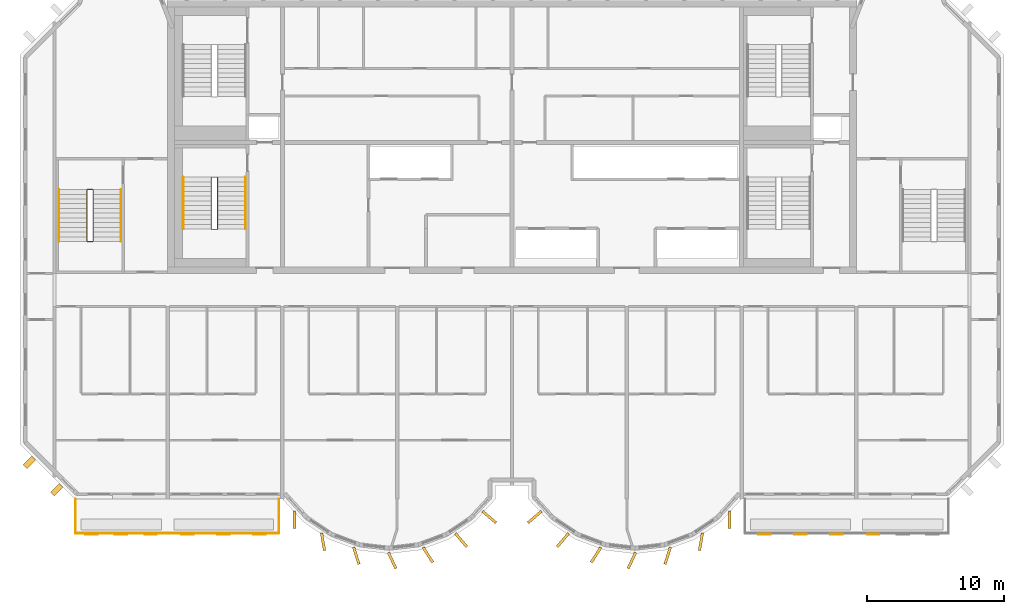
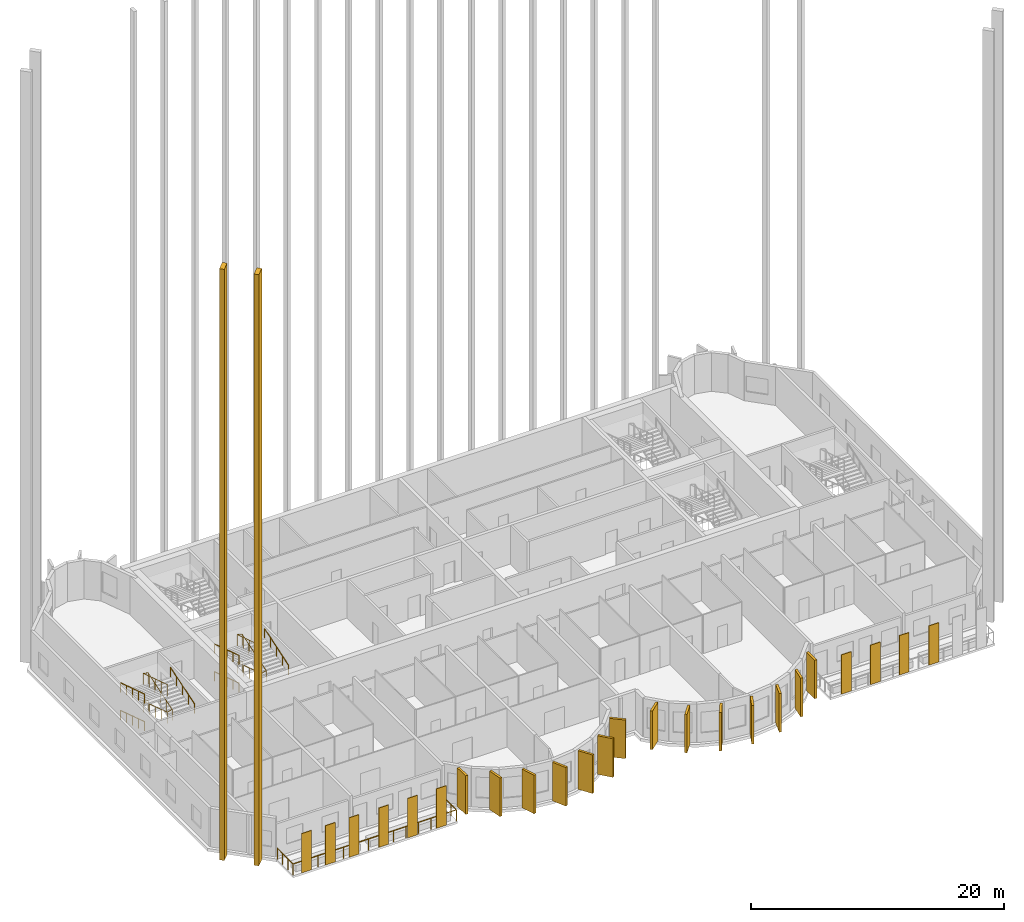
# One storey, part 10 of 13: 26 coverings, 9 railings.
"""IFC4 building model written with IfcOpenShell, lengths in metres."""

from ifc_helpers import new_model, si_unit, direction, frame, origin, origin_2d, place, context, subcontext, project, spatial, rectangle, circle, extrude, source, transform, mapped, material, layer, layer_set, material_profile, profile_set, type_object, element, save


model = new_model("IFC4")

# Units and contexts
model_context = context("Model", 3, precision=1e-05, world=origin(), true_north=direction((0.0, 1.0)))
body_context = subcontext(model_context, "Body", "Model", "MODEL_VIEW")
ifc_project = project(units=[si_unit("LENGTHUNIT", "METRE"), si_unit("AREAUNIT", "SQUARE_METRE"), si_unit("VOLUMEUNIT", "CUBIC_METRE"), si_unit("PLANEANGLEUNIT", "RADIAN"), si_unit("MASSUNIT", "GRAM", prefix="KILO")], contexts=[model_context])

# Site, building, storey
site_placement = place(None, origin())
site = spatial("IfcSite", under=ifc_project, at=site_placement, CompositionType="ELEMENT")
building_placement = place(site_placement, origin())
building = spatial("IfcBuilding", under=site, at=building_placement, Name="Vanashikhar Sky Hotel", CompositionType="ELEMENT")
storey_placement = place(building_placement, frame((0.0, 0.0, 277.699951171875)))
storey = spatial("IfcBuildingStorey", under=building, at=storey_placement, Name="L66", CompositionType="ELEMENT", Elevation=277.699951171875)

# Railing
ifc_material_1 = material(Name="Stainless steel 316", Category="steel")
railing_type_1 = type_object("IfcRailingType", Name="Balcony guard 1100", PredefinedType="GUARDRAIL", material=ifc_material_1)
shared_shape_1 = source(origin(), body_context, "Body", "SweptSolid", [
    extrude(circle(Radius=0.02392578125, at=origin_2d()), frame((0.0, 0.0, 1.076171875), z_axis=(0.0, -1.0, 0.0), x_axis=(1.0, 0.0, 0.0)), (0.0, 0.0, 1.0), 2.5),
    extrude(circle(Radius=0.02392578125, at=origin_2d()), frame((0.0, -2.5, 1.076171875), z_axis=(1.0, 0.0, 0.0), x_axis=(0.0, 1.0, 0.0)), (0.0, 0.0, 1.0), 14.880126953125),
    extrude(circle(Radius=0.02392578125, at=origin_2d()), frame((14.880126953125, -2.5, 1.076171875), z_axis=(0.0, 1.0, 0.0), x_axis=(-1.0, 0.0, 0.0)), (0.0, 0.0, 1.0), 2.5),
    extrude(circle(Radius=0.02099609375, at=origin_2d()), origin(), (0.0, 0.0, 1.0), 1.052001953125),
    extrude(circle(Radius=0.02099609375, at=origin_2d()), frame((0.0, -0.833251953125, 0.0)), (0.0, 0.0, 1.0), 1.052001953125),
    extrude(circle(Radius=0.02099609375, at=origin_2d()), frame((0.0, -1.666748046875, 0.0)), (0.0, 0.0, 1.0), 1.052001953125),
    extrude(circle(Radius=0.02099609375, at=origin_2d()), frame((0.0, -2.5, 0.0)), (0.0, 0.0, 1.0), 1.052001953125),
    extrude(circle(Radius=0.02099609375, at=origin_2d()), frame((1.14453125, -2.5, 0.0)), (0.0, 0.0, 1.0), 1.052001953125),
    extrude(circle(Radius=0.02099609375, at=origin_2d()), frame((2.289306640625, -2.5, 0.0)), (0.0, 0.0, 1.0), 1.052001953125),
    extrude(circle(Radius=0.02099609375, at=origin_2d()), frame((3.433837890625, -2.5, 0.0)), (0.0, 0.0, 1.0), 1.052001953125),
    extrude(circle(Radius=0.02099609375, at=origin_2d()), frame((4.57861328125, -2.5, 0.0)), (0.0, 0.0, 1.0), 1.052001953125),
    extrude(circle(Radius=0.02099609375, at=origin_2d()), frame((5.72314453125, -2.5, 0.0)), (0.0, 0.0, 1.0), 1.052001953125),
    extrude(circle(Radius=0.02099609375, at=origin_2d()), frame((6.86767578125, -2.5, 0.0)), (0.0, 0.0, 1.0), 1.052001953125),
    extrude(circle(Radius=0.02099609375, at=origin_2d()), frame((8.012451171875, -2.5, 0.0)), (0.0, 0.0, 1.0), 1.052001953125),
    extrude(circle(Radius=0.02099609375, at=origin_2d()), frame((9.156982421875, -2.5, 0.0)), (0.0, 0.0, 1.0), 1.052001953125),
    extrude(circle(Radius=0.02099609375, at=origin_2d()), frame((10.301513671875, -2.5, 0.0)), (0.0, 0.0, 1.0), 1.052001953125),
    extrude(circle(Radius=0.02099609375, at=origin_2d()), frame((11.4462890625, -2.5, 0.0)), (0.0, 0.0, 1.0), 1.052001953125),
    extrude(circle(Radius=0.02099609375, at=origin_2d()), frame((12.5908203125, -2.5, 0.0)), (0.0, 0.0, 1.0), 1.052001953125),
    extrude(circle(Radius=0.02099609375, at=origin_2d()), frame((13.735595703125, -2.5, 0.0)), (0.0, 0.0, 1.0), 1.052001953125),
    extrude(circle(Radius=0.02099609375, at=origin_2d()), frame((14.880126953125, -2.5, 0.0)), (0.0, 0.0, 1.0), 1.052001953125),
    extrude(circle(Radius=0.02099609375, at=origin_2d()), frame((14.880126953125, -1.666748046875, 0.0)), (0.0, 0.0, 1.0), 1.052001953125),
    extrude(circle(Radius=0.02099609375, at=origin_2d()), frame((14.880126953125, -0.833251953125, 0.0)), (0.0, 0.0, 1.0), 1.052001953125),
    extrude(circle(Radius=0.02099609375, at=origin_2d()), frame((14.880126953125, 0.0, 0.0)), (0.0, 0.0, 1.0), 1.052001953125),
])
railing_1_placement = place(storey_placement, frame((18.4599609375, 5.5, -0.050048828125)))
element("IfcRailing", 1, at=railing_1_placement, inside=storey, type_object=railing_type_1, Name="Balcony guard", PredefinedType="GUARDRAIL", context=body_context, shape_type="MappedRepresentation", body=[
    mapped(shared_shape_1, transform((0.0, 0.0, 0.0), scale=1.0)),
])

# Coverings
ifc_material_2 = material(Name="Terracotta", Category="masonry")
ifc_layer = layer(ifc_material_2, 0.06005859375)
ifc_layer_set = layer_set([ifc_layer], Name="Terracotta baguette screen")
covering_type_1 = type_object("IfcCoveringType", Name="Terracotta baguette screen", PredefinedType="CLADDING", material=ifc_layer_set)
shared_shape_2 = source(origin(), body_context, "Body", "SweptSolid", [
    extrude(rectangle(XDim=0.89990234375, YDim=0.06005859375, at=origin_2d()), origin(), (0.0, 0.0, 1.0), 3.800048828125),
])
for number, where, z_axis, x_axis, name in (
    (2, (19.63330078125, 2.929931640625, -0.0498046875), (0.0, 0.0, 1.0), (1.0, 0.0, 0.0), "Terracotta screen"),
    (3, (21.800048828125, 2.929931640625, -0.0498046875), (0.0, 0.0, 1.0), (1.0, 0.0, 0.0), "Terracotta screen"),
    (4, (23.966796875, 2.929931640625, -0.0498046875), (0.0, 0.0, 1.0), (1.0, 0.0, 0.0), "Terracotta screen"),
    (5, (26.666748046875, 2.929931640625, -0.0498046875), (0.0, 0.0, 1.0), (1.0, 0.0, 0.0), "Terracotta screen"),
    (6, (29.300048828125, 2.929931640625, -0.0498046875), (0.0, 0.0, 1.0), (1.0, 0.0, 0.0), "Terracotta screen"),
    (7, (31.933349609375, 2.929931640625, -0.0498046875), (0.0, 0.0, 1.0), (1.0, 0.0, 0.0), "Terracotta screen"),
    (8, (68.86669921875, 2.929931640625, -0.0498046875), (0.0, 0.0, 1.0), (1.0, 0.0, 0.0), "Terracotta screen"),
    (9, (71.5, 2.929931640625, -0.0498046875), (0.0, 0.0, 1.0), (1.0, 0.0, 0.0), "Terracotta screen"),
    (10, (74.13330078125, 2.929931640625, -0.0498046875), (0.0, 0.0, 1.0), (1.0, 0.0, 0.0), "Terracotta screen"),
    (11, (76.833251953125, 2.929931640625, -0.0498046875), (0.0, 0.0, 1.0), (1.0, 0.0, 0.0), "Terracotta screen"),
):
    element("IfcCovering", number, at=place(storey_placement, frame(where, z_axis=z_axis, x_axis=x_axis)), inside=storey, type_object=covering_type_1, Name=name, PredefinedType="CLADDING", context=body_context, shape_type="MappedRepresentation", body=[
        mapped(shared_shape_2, transform((0.0, 0.0, 0.0), scale=1.0)),
    ])
ifc_material_3 = material(Name="Concrete M60 dark", Category="concrete")
ifc_material_profile_1 = material_profile(ifc_material_3, rectangle(XDim=1.300048828125, YDim=0.199951171875, at=origin_2d()))
ifc_profile_set_1 = profile_set([ifc_material_profile_1], Name="Fin 1300 x 200")
covering_type_2 = type_object("IfcCoveringType", Name="Fin 1300 x 200", PredefinedType="CLADDING", material=ifc_profile_set_1)
shared_shape_3 = source(origin(), body_context, "Body", "SweptSolid", [
    extrude(rectangle(XDim=1.300048828125, YDim=0.199951171875, at=origin_2d()), origin(), (0.0, 0.0, 1.0), 3.719970703125),
])
for number, where, z_axis, x_axis, name in (
    (12, (34.482421875, 3.992919921875, 0.0), (0.0, 0.0, 1.0), (0.011588726826, -0.999932848451, 0.0), "Fin F1-1"),
    (13, (36.572509765625, 2.3779296875, 0.0), (0.0, 0.0, 1.0), (0.16989991575, -0.985461322746, 0.0), "Fin F1-2"),
    (14, (39.00830078125, 1.35693359375, 0.0), (0.0, 0.0, 1.0), (0.303966551867, -0.952682704444, 0.0), "Fin F1-3"),
    (15, (41.63232421875, 1.00146484375, 0.0), (0.0, 0.0, 1.0), (0.422618261741, -0.906307787037, 0.0), "Fin F1-4"),
    (16, (44.251953125, 1.416015625, 0.0), (0.0, 0.0, 1.0), (0.534411358496, -0.845224526331, 0.0), "Fin F1-5"),
    (17, (46.676025390625, 2.5, 0.0), (0.0, 0.0, 1.0), (0.645697609467, -0.763593214433, 0.0), "Fin F1-6"),
    (18, (48.7412109375, 4.1845703125, 0.0), (0.0, 0.0, 1.0), (0.758543912032, -0.65162192529, 0.0), "Fin F1-7"),
    (19, (52.058837890625, 4.1845703125, 0.0), (0.0, 0.0, 1.0), (-0.758543912032, -0.65162192529, 0.0), "Fin F2-1"),
    (20, (54.123779296875, 2.5, 0.0), (0.0, 0.0, 1.0), (-0.645697609467, -0.763593214433, 0.0), "Fin F2-2"),
    (21, (56.547119140625, 1.416015625, 0.0), (0.0, 0.0, 1.0), (-0.534411358496, -0.845224526331, 0.0), "Fin F2-3"),
    (22, (59.16748046875, 1.00146484375, 0.0), (0.0, 0.0, 1.0), (-0.422618261741, -0.906307787037, 0.0), "Fin F2-4"),
    (23, (61.790771484375, 1.35693359375, 0.0), (0.0, 0.0, 1.0), (-0.303966551867, -0.952682704444, 0.0), "Fin F2-5"),
    (24, (64.2275390625, 2.3779296875, 0.0), (0.0, 0.0, 1.0), (-0.16989991575, -0.985461322746, 0.0), "Fin F2-6"),
    (25, (66.317626953125, 3.992919921875, 0.0), (0.0, 0.0, 1.0), (-0.011588726826, -0.999932848451, 0.0), "Fin F2-7"),
):
    element("IfcCovering", number, at=place(storey_placement, frame(where, z_axis=z_axis, x_axis=x_axis)), inside=storey, type_object=covering_type_2, Name=name, PredefinedType="CLADDING", context=body_context, shape_type="MappedRepresentation", body=[
        mapped(shared_shape_3, transform((0.0, 0.0, 0.0), scale=1.0)),
    ])
ifc_material_profile_2 = material_profile(ifc_material_3, rectangle(XDim=0.89990234375, YDim=0.39990234375, at=origin_2d()))
ifc_profile_set_2 = profile_set([ifc_material_profile_2], Name="Chamfer fin 900 x 400")
covering_type_3 = type_object("IfcCoveringType", Name="Chamfer fin 900 x 400", PredefinedType="CLADDING", material=ifc_profile_set_2)
shared_shape_4 = source(origin(), body_context, "Body", "SweptSolid", [
    extrude(rectangle(XDim=0.89990234375, YDim=0.39990234375, at=origin_2d()), origin(), (0.0, 0.0, 1.0), 57.0),
])
for number, where, z_axis, x_axis, name in (
    (26, (15.081787109375, 8.181884765625, -0.280029296875), (0.0, 0.0, 1.0), (-0.707106781187, -0.707106781187, 0.0), "Chamfer fin"),
    (27, (17.081787109375, 6.181884765625, -0.280029296875), (0.0, 0.0, 1.0), (-0.707106781187, -0.707106781187, 0.0), "Chamfer fin"),
):
    element("IfcCovering", number, at=place(storey_placement, frame(where, z_axis=z_axis, x_axis=x_axis)), inside=storey, type_object=covering_type_3, Name=name, PredefinedType="CLADDING", context=body_context, shape_type="MappedRepresentation", body=[
        mapped(shared_shape_4, transform((0.0, 0.0, 0.0), scale=1.0)),
    ])

# Railings
ifc_material_4 = material(Name="Steel S355", Category="steel")
railing_type_2 = type_object("IfcRailingType", Name="Stair guard 1100", PredefinedType="GUARDRAIL", material=ifc_material_4)
shared_shape_5 = source(origin(), body_context, "Body", "SweptSolid", [
    extrude(circle(Radius=0.02392578125, at=origin_2d()), frame((0.0, 0.0, 1.076171875), z_axis=(-0.970881249867, 0.0, 0.239561262847), x_axis=(0.0, -1.0, 0.0)), (0.0, 0.0, 1.0), 0.463623046875),
    extrude(circle(Radius=0.02392578125, at=origin_2d()), frame((-0.4501953125, 0.0, 1.18701171875), z_axis=(0.0, -0.95195790124, 0.306228924607), x_axis=(1.0, 0.0, 0.0)), (0.0, 0.0, 1.0), 3.991943359375),
    extrude(circle(Radius=0.02392578125, at=origin_2d()), frame((-0.4501953125, -3.800048828125, 2.40966796875), z_axis=(0.970881249867, 0.0, 0.239561262847), x_axis=(0.0, 1.0, 0.0)), (0.0, 0.0, 1.0), 0.463623046875),
    extrude(circle(Radius=0.02392578125, at=origin_2d()), frame((0.0, -3.800048828125, 2.5205078125), z_axis=(0.0, 0.95197572919, 0.306173498254), x_axis=(-1.0, 0.0, 0.0)), (0.0, 0.0, 1.0), 3.99169921875),
    extrude(circle(Radius=0.02392578125, at=origin_2d()), frame((0.0, 0.0, 3.74267578125), z_axis=(-0.970881249867, 0.0, 0.239561262847), x_axis=(0.0, -1.0, 0.0)), (0.0, 0.0, 1.0), 0.463623046875),
    extrude(circle(Radius=0.02392578125, at=origin_2d()), frame((-0.4501953125, 0.0, 3.85400390625), z_axis=(0.0, -0.95197572919, 0.306173498254), x_axis=(1.0, 0.0, 0.0)), (0.0, 0.0, 1.0), 3.99169921875),
    extrude(circle(Radius=0.02099609375, at=origin_2d()), origin(), (0.0, 0.0, 1.0), 1.052001953125),
    extrude(circle(Radius=0.02099609375, at=origin_2d()), frame((-0.4501953125, 0.0, 0.111083984375)), (0.0, 0.0, 1.0), 1.052001953125),
    extrude(circle(Radius=0.02099609375, at=origin_2d()), frame((-0.4501953125, -0.949951171875, 0.416748046875)), (0.0, 0.0, 1.0), 1.052001953125),
    extrude(circle(Radius=0.02099609375, at=origin_2d()), frame((-0.4501953125, -1.89990234375, 0.72216796875)), (0.0, 0.0, 1.0), 1.052001953125),
    extrude(circle(Radius=0.02099609375, at=origin_2d()), frame((-0.4501953125, -2.85009765625, 1.02783203125)), (0.0, 0.0, 1.0), 1.052001953125),
    extrude(circle(Radius=0.02099609375, at=origin_2d()), frame((-0.4501953125, -3.800048828125, 1.33349609375)), (0.0, 0.0, 1.0), 1.052001953125),
    extrude(circle(Radius=0.02099609375, at=origin_2d()), frame((0.0, -3.800048828125, 1.444580078125)), (0.0, 0.0, 1.0), 1.052001953125),
    extrude(circle(Radius=0.02099609375, at=origin_2d()), frame((0.0, -2.85009765625, 1.75)), (0.0, 0.0, 1.0), 1.052001953125),
    extrude(circle(Radius=0.02099609375, at=origin_2d()), frame((0.0, -1.89990234375, 2.0556640625)), (0.0, 0.0, 1.0), 1.052001953125),
    extrude(circle(Radius=0.02099609375, at=origin_2d()), frame((0.0, -0.949951171875, 2.361328125)), (0.0, 0.0, 1.0), 1.052001953125),
    extrude(circle(Radius=0.02099609375, at=origin_2d()), frame((0.0, 0.0, 2.666748046875)), (0.0, 0.0, 1.0), 1.052001953125),
    extrude(circle(Radius=0.02099609375, at=origin_2d()), frame((-0.4501953125, 0.0, 2.77783203125)), (0.0, 0.0, 1.0), 1.052001953125),
    extrude(circle(Radius=0.02099609375, at=origin_2d()), frame((-0.4501953125, -0.949951171875, 3.08349609375)), (0.0, 0.0, 1.0), 1.052001953125),
    extrude(circle(Radius=0.02099609375, at=origin_2d()), frame((-0.4501953125, -1.89990234375, 3.388916015625)), (0.0, 0.0, 1.0), 1.052001953125),
    extrude(circle(Radius=0.02099609375, at=origin_2d()), frame((-0.4501953125, -2.85009765625, 3.6943359375)), (0.0, 0.0, 1.0), 1.052001953125),
    extrude(circle(Radius=0.02099609375, at=origin_2d()), frame((-0.4501953125, -3.800048828125, 4.0)), (0.0, 0.0, 1.0), 1.052001953125),
])
railing_2_placement = place(storey_placement, frame((28.85009765625, 29.050048828125, 0.0)))
element("IfcRailing", 28, at=railing_2_placement, inside=storey, type_object=railing_type_2, Name="Exit stair 1 guard", PredefinedType="GUARDRAIL", context=body_context, shape_type="MappedRepresentation", body=[
    mapped(shared_shape_5, transform((0.0, 0.0, 0.0), scale=1.0)),
])
railing_type_3 = type_object("IfcRailingType", Name="Stair handrail 900", PredefinedType="HANDRAIL", material=ifc_material_4)
shared_shape_6 = source(origin(), body_context, "Body", "SweptSolid", [
    extrude(circle(Radius=0.02392578125, at=origin_2d()), frame((0.0, 0.0, 0.8759765625), z_axis=(0.0, -0.95195790124, 0.306228924607), x_axis=(1.0, 0.0, 0.0)), (0.0, 0.0, 1.0), 3.991943359375),
    extrude(circle(Radius=0.02099609375, at=origin_2d()), origin(), (0.0, 0.0, 1.0), 0.851806640625),
    extrude(circle(Radius=0.02099609375, at=origin_2d()), frame((0.0, -0.949951171875, 0.3056640625)), (0.0, 0.0, 1.0), 0.851806640625),
    extrude(circle(Radius=0.02099609375, at=origin_2d()), frame((0.0, -1.89990234375, 0.611328125)), (0.0, 0.0, 1.0), 0.851806640625),
    extrude(circle(Radius=0.02099609375, at=origin_2d()), frame((0.0, -2.85009765625, 0.916748046875)), (0.0, 0.0, 1.0), 0.851806640625),
    extrude(circle(Radius=0.02099609375, at=origin_2d()), frame((0.0, -3.800048828125, 1.222412109375)), (0.0, 0.0, 1.0), 0.851806640625),
])
railing_3_placement = place(storey_placement, frame((26.35009765625, 29.050048828125, 0.111083984375)))
element("IfcRailing", 29, at=railing_3_placement, inside=storey, type_object=railing_type_3, Name="Exit stair 1 handrail", PredefinedType="HANDRAIL", context=body_context, shape_type="MappedRepresentation", body=[
    mapped(shared_shape_6, transform((0.0, 0.0, 0.0), scale=1.0)),
])
shared_shape_7 = source(origin(), body_context, "Body", "SweptSolid", [
    extrude(circle(Radius=0.02392578125, at=origin_2d()), frame((0.0, 0.0, 0.8759765625), z_axis=(0.0, 0.95197572919, 0.306173498254), x_axis=(-1.0, 0.0, 0.0)), (0.0, 0.0, 1.0), 3.99169921875),
    extrude(circle(Radius=0.02099609375, at=origin_2d()), origin(), (0.0, 0.0, 1.0), 0.851806640625),
    extrude(circle(Radius=0.02099609375, at=origin_2d()), frame((0.0, 0.949951171875, 0.3056640625)), (0.0, 0.0, 1.0), 0.851806640625),
    extrude(circle(Radius=0.02099609375, at=origin_2d()), frame((0.0, 1.89990234375, 0.611083984375)), (0.0, 0.0, 1.0), 0.851806640625),
    extrude(circle(Radius=0.02099609375, at=origin_2d()), frame((0.0, 2.85009765625, 0.91650390625)), (0.0, 0.0, 1.0), 0.851806640625),
    extrude(circle(Radius=0.02099609375, at=origin_2d()), frame((0.0, 3.800048828125, 1.22216796875)), (0.0, 0.0, 1.0), 0.851806640625),
])
railing_4_placement = place(storey_placement, frame((30.89990234375, 25.25, 1.444580078125)))
element("IfcRailing", 30, at=railing_4_placement, inside=storey, type_object=railing_type_3, Name="Exit stair 1 handrail", PredefinedType="HANDRAIL", context=body_context, shape_type="MappedRepresentation", body=[
    mapped(shared_shape_7, transform((0.0, 0.0, 0.0), scale=1.0)),
])
shared_shape_8 = source(origin(), body_context, "Body", "SweptSolid", [
    extrude(circle(Radius=0.02392578125, at=origin_2d()), frame((0.0, 0.0, 0.8759765625), z_axis=(0.0, -0.95197572919, 0.306173498254), x_axis=(1.0, 0.0, 0.0)), (0.0, 0.0, 1.0), 3.99169921875),
    extrude(circle(Radius=0.02099609375, at=origin_2d()), origin(), (0.0, 0.0, 1.0), 0.851806640625),
    extrude(circle(Radius=0.02099609375, at=origin_2d()), frame((0.0, -0.949951171875, 0.3056640625)), (0.0, 0.0, 1.0), 0.851806640625),
    extrude(circle(Radius=0.02099609375, at=origin_2d()), frame((0.0, -1.89990234375, 0.611083984375)), (0.0, 0.0, 1.0), 0.851806640625),
    extrude(circle(Radius=0.02099609375, at=origin_2d()), frame((0.0, -2.85009765625, 0.91650390625)), (0.0, 0.0, 1.0), 0.851806640625),
    extrude(circle(Radius=0.02099609375, at=origin_2d()), frame((0.0, -3.800048828125, 1.22216796875)), (0.0, 0.0, 1.0), 0.851806640625),
])
railing_5_placement = place(storey_placement, frame((26.35009765625, 29.050048828125, 2.77783203125)))
element("IfcRailing", 31, at=railing_5_placement, inside=storey, type_object=railing_type_3, Name="Exit stair 1 handrail", PredefinedType="HANDRAIL", context=body_context, shape_type="MappedRepresentation", body=[
    mapped(shared_shape_8, transform((0.0, 0.0, 0.0), scale=1.0)),
])
shared_shape_9 = source(origin(), body_context, "Body", "SweptSolid", [
    extrude(circle(Radius=0.02392578125, at=origin_2d()), frame((0.0, 0.0, 1.076171875), z_axis=(-0.970851010584, 0.0, 0.239683781777), x_axis=(0.0, -1.0, 0.0)), (0.0, 0.0, 1.0), 0.46337890625),
    extrude(circle(Radius=0.02392578125, at=origin_2d()), frame((-0.449951171875, 0.0, 1.18701171875), z_axis=(0.0, -0.951952165375, 0.306246754821), x_axis=(1.0, 0.0, 0.0)), (0.0, 0.0, 1.0), 3.99169921875),
    extrude(circle(Radius=0.02392578125, at=origin_2d()), frame((-0.449951171875, -3.7998046875, 2.40966796875), z_axis=(0.970851010584, 0.0, 0.239683781777), x_axis=(0.0, 1.0, 0.0)), (0.0, 0.0, 1.0), 0.46337890625),
    extrude(circle(Radius=0.02392578125, at=origin_2d()), frame((0.0, -3.7998046875, 2.5205078125), z_axis=(0.0, 0.951969995293, 0.306191325908), x_axis=(-1.0, 0.0, 0.0)), (0.0, 0.0, 1.0), 3.991455078125),
    extrude(circle(Radius=0.02392578125, at=origin_2d()), frame((0.0, 0.0, 3.74267578125), z_axis=(-0.970851010584, 0.0, 0.239683781777), x_axis=(0.0, -1.0, 0.0)), (0.0, 0.0, 1.0), 0.46337890625),
    extrude(circle(Radius=0.02392578125, at=origin_2d()), frame((-0.449951171875, 0.0, 3.85400390625), z_axis=(0.0, -0.951969995293, 0.306191325908), x_axis=(1.0, 0.0, 0.0)), (0.0, 0.0, 1.0), 3.991455078125),
    extrude(circle(Radius=0.02099609375, at=origin_2d()), origin(), (0.0, 0.0, 1.0), 1.052001953125),
    extrude(circle(Radius=0.02099609375, at=origin_2d()), frame((-0.449951171875, 0.0, 0.111083984375)), (0.0, 0.0, 1.0), 1.052001953125),
    extrude(circle(Radius=0.02099609375, at=origin_2d()), frame((-0.449951171875, -0.949951171875, 0.416748046875)), (0.0, 0.0, 1.0), 1.052001953125),
    extrude(circle(Radius=0.02099609375, at=origin_2d()), frame((-0.449951171875, -1.89990234375, 0.72216796875)), (0.0, 0.0, 1.0), 1.052001953125),
    extrude(circle(Radius=0.02099609375, at=origin_2d()), frame((-0.449951171875, -2.849853515625, 1.02783203125)), (0.0, 0.0, 1.0), 1.052001953125),
    extrude(circle(Radius=0.02099609375, at=origin_2d()), frame((-0.449951171875, -3.7998046875, 1.33349609375)), (0.0, 0.0, 1.0), 1.052001953125),
    extrude(circle(Radius=0.02099609375, at=origin_2d()), frame((0.0, -3.7998046875, 1.444580078125)), (0.0, 0.0, 1.0), 1.052001953125),
    extrude(circle(Radius=0.02099609375, at=origin_2d()), frame((0.0, -2.849853515625, 1.75)), (0.0, 0.0, 1.0), 1.052001953125),
    extrude(circle(Radius=0.02099609375, at=origin_2d()), frame((0.0, -1.89990234375, 2.0556640625)), (0.0, 0.0, 1.0), 1.052001953125),
    extrude(circle(Radius=0.02099609375, at=origin_2d()), frame((0.0, -0.949951171875, 2.361328125)), (0.0, 0.0, 1.0), 1.052001953125),
    extrude(circle(Radius=0.02099609375, at=origin_2d()), frame((0.0, 0.0, 2.666748046875)), (0.0, 0.0, 1.0), 1.052001953125),
    extrude(circle(Radius=0.02099609375, at=origin_2d()), frame((-0.449951171875, 0.0, 2.77783203125)), (0.0, 0.0, 1.0), 1.052001953125),
    extrude(circle(Radius=0.02099609375, at=origin_2d()), frame((-0.449951171875, -0.949951171875, 3.08349609375)), (0.0, 0.0, 1.0), 1.052001953125),
    extrude(circle(Radius=0.02099609375, at=origin_2d()), frame((-0.449951171875, -1.89990234375, 3.388916015625)), (0.0, 0.0, 1.0), 1.052001953125),
    extrude(circle(Radius=0.02099609375, at=origin_2d()), frame((-0.449951171875, -2.849853515625, 3.6943359375)), (0.0, 0.0, 1.0), 1.052001953125),
    extrude(circle(Radius=0.02099609375, at=origin_2d()), frame((-0.449951171875, -3.7998046875, 4.0)), (0.0, 0.0, 1.0), 1.052001953125),
])
railing_6_placement = place(storey_placement, frame((19.75, 28.14990234375, 0.0)))
element("IfcRailing", 32, at=railing_6_placement, inside=storey, type_object=railing_type_2, Name="Exit stair 3 guard", PredefinedType="GUARDRAIL", context=body_context, shape_type="MappedRepresentation", body=[
    mapped(shared_shape_9, transform((0.0, 0.0, 0.0), scale=1.0)),
])
shared_shape_10 = source(origin(), body_context, "Body", "SweptSolid", [
    extrude(circle(Radius=0.02392578125, at=origin_2d()), frame((0.0, 0.0, 0.8759765625), z_axis=(0.0, -0.951952165375, 0.306246754821), x_axis=(1.0, 0.0, 0.0)), (0.0, 0.0, 1.0), 3.99169921875),
    extrude(circle(Radius=0.02099609375, at=origin_2d()), origin(), (0.0, 0.0, 1.0), 0.851806640625),
    extrude(circle(Radius=0.02099609375, at=origin_2d()), frame((0.0, -0.949951171875, 0.3056640625)), (0.0, 0.0, 1.0), 0.851806640625),
    extrude(circle(Radius=0.02099609375, at=origin_2d()), frame((0.0, -1.89990234375, 0.611328125)), (0.0, 0.0, 1.0), 0.851806640625),
    extrude(circle(Radius=0.02099609375, at=origin_2d()), frame((0.0, -2.849853515625, 0.916748046875)), (0.0, 0.0, 1.0), 0.851806640625),
    extrude(circle(Radius=0.02099609375, at=origin_2d()), frame((0.0, -3.7998046875, 1.222412109375)), (0.0, 0.0, 1.0), 0.851806640625),
])
railing_7_placement = place(storey_placement, frame((17.25, 28.14990234375, 0.111083984375)))
element("IfcRailing", 33, at=railing_7_placement, inside=storey, type_object=railing_type_3, Name="Exit stair 3 handrail", PredefinedType="HANDRAIL", context=body_context, shape_type="MappedRepresentation", body=[
    mapped(shared_shape_10, transform((0.0, 0.0, 0.0), scale=1.0)),
])
shared_shape_11 = source(origin(), body_context, "Body", "SweptSolid", [
    extrude(circle(Radius=0.02392578125, at=origin_2d()), frame((0.0, 0.0, 0.8759765625), z_axis=(0.0, 0.951969995293, 0.306191325908), x_axis=(-1.0, 0.0, 0.0)), (0.0, 0.0, 1.0), 3.991455078125),
    extrude(circle(Radius=0.02099609375, at=origin_2d()), origin(), (0.0, 0.0, 1.0), 0.851806640625),
    extrude(circle(Radius=0.02099609375, at=origin_2d()), frame((0.0, 0.949951171875, 0.3056640625)), (0.0, 0.0, 1.0), 0.851806640625),
    extrude(circle(Radius=0.02099609375, at=origin_2d()), frame((0.0, 1.89990234375, 0.611083984375)), (0.0, 0.0, 1.0), 0.851806640625),
    extrude(circle(Radius=0.02099609375, at=origin_2d()), frame((0.0, 2.849853515625, 0.91650390625)), (0.0, 0.0, 1.0), 0.851806640625),
    extrude(circle(Radius=0.02099609375, at=origin_2d()), frame((0.0, 3.7998046875, 1.22216796875)), (0.0, 0.0, 1.0), 0.851806640625),
])
railing_8_placement = place(storey_placement, frame((21.800048828125, 24.35009765625, 1.444580078125)))
element("IfcRailing", 34, at=railing_8_placement, inside=storey, type_object=railing_type_3, Name="Exit stair 3 handrail", PredefinedType="HANDRAIL", context=body_context, shape_type="MappedRepresentation", body=[
    mapped(shared_shape_11, transform((0.0, 0.0, 0.0), scale=1.0)),
])
shared_shape_12 = source(origin(), body_context, "Body", "SweptSolid", [
    extrude(circle(Radius=0.02392578125, at=origin_2d()), frame((0.0, 0.0, 0.8759765625), z_axis=(0.0, -0.951969995293, 0.306191325908), x_axis=(1.0, 0.0, 0.0)), (0.0, 0.0, 1.0), 3.991455078125),
    extrude(circle(Radius=0.02099609375, at=origin_2d()), origin(), (0.0, 0.0, 1.0), 0.851806640625),
    extrude(circle(Radius=0.02099609375, at=origin_2d()), frame((0.0, -0.949951171875, 0.3056640625)), (0.0, 0.0, 1.0), 0.851806640625),
    extrude(circle(Radius=0.02099609375, at=origin_2d()), frame((0.0, -1.89990234375, 0.611083984375)), (0.0, 0.0, 1.0), 0.851806640625),
    extrude(circle(Radius=0.02099609375, at=origin_2d()), frame((0.0, -2.849853515625, 0.91650390625)), (0.0, 0.0, 1.0), 0.851806640625),
    extrude(circle(Radius=0.02099609375, at=origin_2d()), frame((0.0, -3.7998046875, 1.22216796875)), (0.0, 0.0, 1.0), 0.851806640625),
])
railing_9_placement = place(storey_placement, frame((17.25, 28.14990234375, 2.77783203125)))
element("IfcRailing", 35, at=railing_9_placement, inside=storey, type_object=railing_type_3, Name="Exit stair 3 handrail", PredefinedType="HANDRAIL", context=body_context, shape_type="MappedRepresentation", body=[
    mapped(shared_shape_12, transform((0.0, 0.0, 0.0), scale=1.0)),
])

save(model, "model.ifc")
